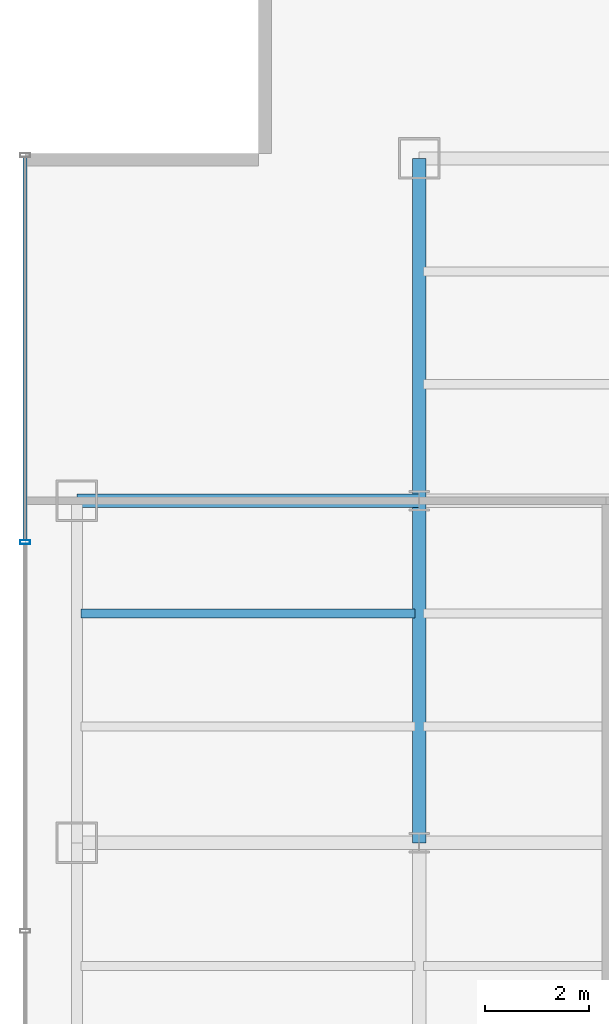
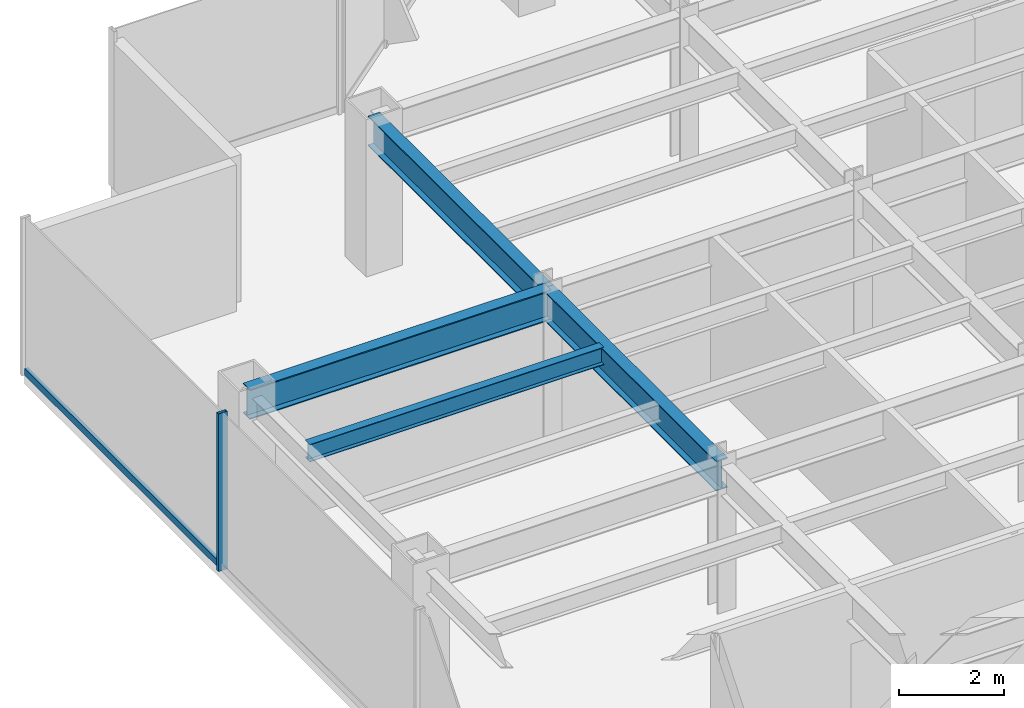
# One storey, part 6 of 26: 4 beams, 2 members, 1 element without a shape of its own.
"""IFC4 building model written with IfcOpenShell, lengths in metres."""

from ifc_helpers import new_model, si_unit, derived_unit, direction, frame, origin, origin_2d, place, context, subcontext, project, spatial, hollow_rectangle, i_section, extrude, source, transform, mapped, material, material_profile, profile_set, type_object, element, aggregate, save


model = new_model("IFC4")

# Units and contexts
model_context = context("Model", 3, precision=1e-05, world=origin(), true_north=direction((0.0, 1.0)))
body_context = subcontext(model_context, "Body", "Model", "MODEL_VIEW")
ifc_project = project(units=[si_unit("LENGTHUNIT", "METRE"), si_unit("AREAUNIT", "SQUARE_METRE"), si_unit("VOLUMEUNIT", "CUBIC_METRE"), si_unit("PLANEANGLEUNIT", "RADIAN"), si_unit("MASSUNIT", "GRAM", prefix="KILO"), derived_unit("THERMALTRANSMITTANCEUNIT", [(si_unit("POWERUNIT", "WATT"), 1), (si_unit("LENGTHUNIT", "METRE"), -2), (si_unit("THERMODYNAMICTEMPERATUREUNIT", "KELVIN"), -1)])], contexts=[model_context])

# Site, building, storey
site_placement = place(None, origin())
site = spatial("IfcSite", under=ifc_project, at=site_placement, CompositionType="ELEMENT")
building_placement = place(site_placement, origin())
building = spatial("IfcBuilding", under=site, at=building_placement, Name="Skarnbrae Concourse Arena and Tower", CompositionType="ELEMENT")
storey_placement = place(building_placement, frame((0.0, 0.0, 128.800048828125)))
storey = spatial("IfcBuildingStorey", under=building, at=storey_placement, Name="L32", CompositionType="ELEMENT", Elevation=128.800048828125)

# Beams
ifc_material_1 = material(Name="Steel CSA G40.21 350W", Category="steel")
ifc_material_profile_1 = material_profile(ifc_material_1, i_section(OverallWidth=0.256103515625, OverallDepth=0.693115234375, WebThickness=0.014404296875, FlangeThickness=0.023681640625, at=origin_2d()), Name="W690X170")
ifc_profile_set_1 = profile_set([ifc_material_profile_1], Name="Steel CSA G40.21 350W")
beam_type_1 = type_object("IfcBeamType", Name="BM-GIRD-W690X170", PredefinedType="BEAM", material=ifc_profile_set_1)
shared_shape_1 = source(origin(), body_context, "Body", "SweptSolid", [
    extrude(i_section(OverallWidth=0.256103515625, OverallDepth=0.693115234375, WebThickness=0.014404296875, FlangeThickness=0.023681640625, at=origin_2d()), origin(), (0.0, 0.0, 1.0), 6.60009765625),
])
for number, where, z_axis, x_axis, name in (
    (1, (1.0, 27.800048828125, 3.053466796875), (1.0, 0.0, 0.0), (0.0, 1.0, 0.0), "L32 Primary E-W girder Y27.8-1"),
    (2, (7.60009765625, 21.199951171875, 3.053466796875), (0.0, 1.0, 0.0), (-1.0, 0.0, 0.0), "L32 Primary N-S girder X7.6-2"),
):
    element("IfcBeam", number, at=place(storey_placement, frame(where, z_axis=z_axis, x_axis=x_axis)), inside=storey, type_object=beam_type_1, Name=name, PredefinedType="BEAM", context=body_context, shape_type="MappedRepresentation", body=[
        mapped(shared_shape_1, transform((0.0, 0.0, 0.0))),
    ])
shared_shape_2 = source(origin(), body_context, "Body", "SweptSolid", [
    extrude(i_section(OverallWidth=0.256103515625, OverallDepth=0.693115234375, WebThickness=0.014404296875, FlangeThickness=0.023681640625, at=origin_2d()), origin(), (0.0, 0.0, 1.0), 6.599853515625),
])
beam_1_placement = place(storey_placement, frame((7.60009765625, 27.800048828125, 3.053466796875), z_axis=(0.0, 1.0, 0.0), x_axis=(-1.0, 0.0, 0.0)))
element("IfcBeam", 3, at=beam_1_placement, inside=storey, type_object=beam_type_1, Name="L32 Primary N-S girder X7.6-3", PredefinedType="BEAM", context=body_context, shape_type="MappedRepresentation", body=[
    mapped(shared_shape_2, transform((0.0, 0.0, 0.0))),
])
ifc_material_profile_2 = material_profile(ifc_material_1, i_section(OverallWidth=0.177978515625, OverallDepth=0.406982421875, WebThickness=0.0078125, FlangeThickness=0.0126953125, at=origin_2d()), Name="W410X60")
ifc_profile_set_2 = profile_set([ifc_material_profile_2], Name="Steel CSA G40.21 350W")
beam_type_2 = type_object("IfcBeamType", Name="BM-JOIST-W410X60", PredefinedType="JOIST", material=ifc_profile_set_2)
shared_shape_3 = source(origin(), body_context, "Body", "SweptSolid", [
    extrude(i_section(OverallWidth=0.177978515625, OverallDepth=0.406982421875, WebThickness=0.0078125, FlangeThickness=0.0126953125, at=origin_2d()), origin(), (0.0, 0.0, 1.0), 6.43994140625),
])
beam_2_placement = place(storey_placement, frame((1.080078125, 25.6220703125, 3.196533203125), z_axis=(1.0, 0.0, 0.0), x_axis=(0.0, 1.0, 0.0)))
element("IfcBeam", 4, at=beam_2_placement, inside=storey, type_object=beam_type_2, Name="L32 Secondary floor joist 2.2.1", PredefinedType="JOIST", context=body_context, shape_type="MappedRepresentation", body=[
    mapped(shared_shape_3, transform((0.0, 0.0, 0.0))),
])

# Curtain wall, members
ifc_material_2 = material(Name="Bronze anodised aluminium 6063-T6", Category="aluminium")
curtain_wall_type = type_object("IfcCurtainWallType", Name="CW-SYS-04-MIDZONE", PredefinedType="USERDEFINED", material=ifc_material_2)
curtain_wall_placement = place(storey_placement, origin())
curtain_wall = element("IfcCurtainWall", 5, at=curtain_wall_placement, inside=storey, type_object=curtain_wall_type, Name="L32 Unitised curtain wall CW-L32-E19", ObjectType="UNITISED CURTAIN WALL", PredefinedType="USERDEFINED")
ifc_material_profile_3 = material_profile(ifc_material_2, hollow_rectangle(XDim=0.074951171875, YDim=0.159912109375, WallThickness=0.00439453125, at=origin_2d()), Name="ALU-TRAN-75X160")
ifc_profile_set_3 = profile_set([ifc_material_profile_3], Name="Bronze anodised aluminium 6063-T6")
member_type_1 = type_object("IfcMemberType", Name="CWT-CW-04", PredefinedType="USERDEFINED", material=ifc_profile_set_3)
shared_shape_4 = source(origin(), body_context, "Body", "SweptSolid", [
    extrude(hollow_rectangle(XDim=0.074951171875, YDim=0.159912109375, WallThickness=0.00439453125, at=origin_2d()), origin(), (0.0, 0.0, 1.0), 7.387451171875),
])
member_1_placement = place(storey_placement, frame((0.0, 34.425048828125, 0.079833984375), z_axis=(0.0, -1.0, 0.0), x_axis=(1.0, 0.0, 0.0)))
member_1 = element("IfcMember", 6, at=member_1_placement, type_object=member_type_1, Name="CW-L32-E19 Transom 1", ObjectType="TRANSOM", PredefinedType="USERDEFINED", context=body_context, shape_type="MappedRepresentation", body=[
    mapped(shared_shape_4, transform((0.0, 0.0, 0.0))),
])
ifc_material_profile_4 = material_profile(ifc_material_2, hollow_rectangle(XDim=0.074951171875, YDim=0.195068359375, WallThickness=0.00439453125, at=origin_2d()), Name="ALU-MULL-75X195")
ifc_profile_set_4 = profile_set([ifc_material_profile_4], Name="Bronze anodised aluminium 6063-T6")
member_type_2 = type_object("IfcMemberType", Name="CWM-CW-04", PredefinedType="MULLION", material=ifc_profile_set_4)
shared_shape_5 = source(origin(), body_context, "Body", "SweptSolid", [
    extrude(hollow_rectangle(XDim=0.074951171875, YDim=0.195068359375, WallThickness=0.00439453125, at=origin_2d()), origin(), (0.0, 0.0, 1.0), 3.64990234375),
])
member_2_placement = place(storey_placement, frame((0.0, 27.0, 0.0), z_axis=(0.0, 0.0, 1.0), x_axis=(0.0, -1.0, 0.0)))
member_2 = element("IfcMember", 7, at=member_2_placement, type_object=member_type_2, Name="CW-L32-E19 Mullion 2", PredefinedType="MULLION", context=body_context, shape_type="MappedRepresentation", body=[
    mapped(shared_shape_5, transform((0.0, 0.0, 0.0))),
])
aggregate(curtain_wall, [member_2, member_1])

save(model, "model.ifc")
